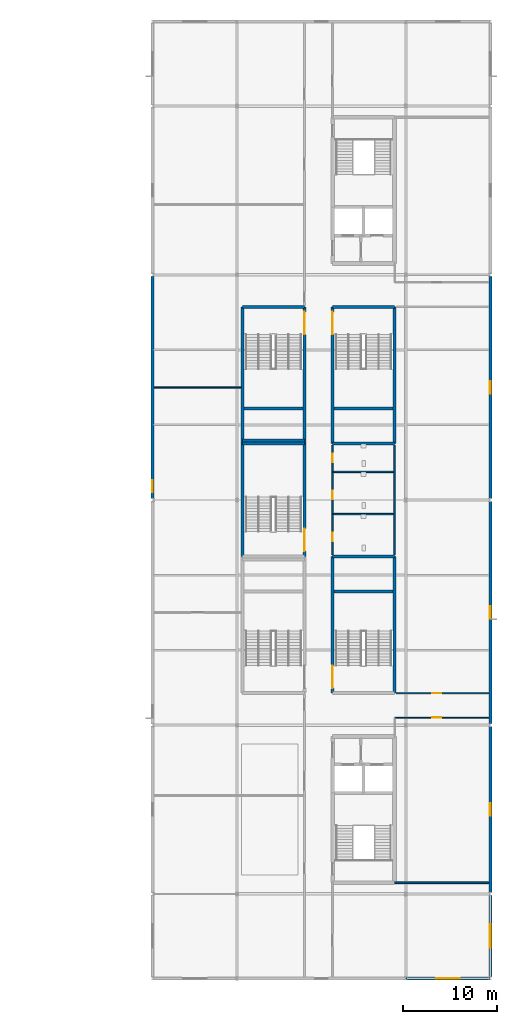
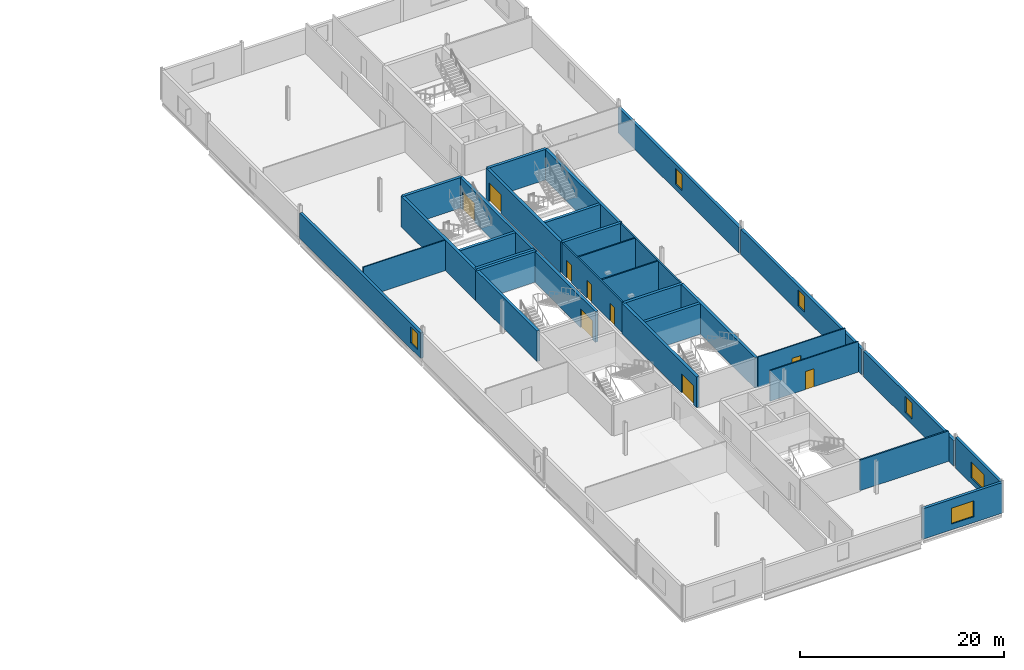
# One storey, part 15 of 27: 31 walls, 9 doors, 6 windows, 15 openings.
"""IFC4 building model written with IfcOpenShell, lengths in metres."""

from ifc_helpers import new_model, si_unit, direction, frame, frame_2d, origin, place, context, subcontext, project, spatial, rectangle, extrude, material, layer, layer_set, type_object, element, fill, save


model = new_model("IFC4")

# Units and contexts
model_context = context("Model", 3, precision=1e-05, world=origin(), true_north=direction((0.0, 1.0)))
body_context = subcontext(model_context, "Body", "Model", "MODEL_VIEW")
ifc_project = project(units=[si_unit("LENGTHUNIT", "METRE"), si_unit("AREAUNIT", "SQUARE_METRE"), si_unit("VOLUMEUNIT", "CUBIC_METRE"), si_unit("PLANEANGLEUNIT", "RADIAN"), si_unit("MASSUNIT", "GRAM", prefix="KILO")], contexts=[model_context])

# Site, building, storey
site_placement = place(None, origin())
site = spatial("IfcSite", under=ifc_project, at=site_placement, CompositionType="ELEMENT")
building_placement = place(site_placement, origin())
building = spatial("IfcBuilding", under=site, at=building_placement, Name="Kisiwana Market Hall", CompositionType="ELEMENT")
storey_placement = place(building_placement, frame((0.0, 0.0, 41.699951171875)))
storey = spatial("IfcBuildingStorey", under=building, at=storey_placement, Name="L09", CompositionType="ELEMENT", Elevation=41.699951171875)

# Wall
ifc_material_1 = material(Name="Concrete C40/50", Category="concrete")
ifc_layer_1 = layer(ifc_material_1, 0.320068359375, Name="Reinforced concrete shaft wall")
ifc_layer_set_1 = layer_set([ifc_layer_1], Name="WL-CORE-320")
wall_type_1 = type_object("IfcWallType", Name="WL-CORE-320", PredefinedType="SHEAR", material=ifc_layer_set_1)
wall_1_placement = place(storey_placement, frame((181.199951171875, 54.0, 0.0), z_axis=(0.0, 0.0, 1.0), x_axis=(1.0, 0.0, 0.0)))
element("IfcWall", 1, at=wall_1_placement, inside=storey, type_object=wall_type_1, Name="Core E3 north shear wall W-2470", PredefinedType="SHEAR", context=body_context, shape_type="SweptSolid", body=[
    extrude(rectangle(XDim=6.60009765625, YDim=0.320068359375, at=frame_2d((3.300048828125, 0.0))), origin(), (0.0, 0.0, 1.0), 3.655029296875),
])

# Wall, opening, door
wall_2_placement = place(storey_placement, frame((181.199951171875, 39.39990234375, 0.0), z_axis=(0.0, 0.0, 1.0), x_axis=(0.0, 1.0, 0.0)))
wall_2 = element("IfcWall", 2, at=wall_2_placement, inside=storey, type_object=wall_type_1, Name="Core E3 corridor shear wall W-2471", PredefinedType="SHEAR", context=body_context, shape_type="SweptSolid", body=[
    extrude(rectangle(XDim=14.60009765625, YDim=0.320068359375, at=frame_2d((7.300048828125, 0.0))), origin(), (0.0, 0.0, 1.0), 3.655029296875),
])
opening_1_placement = place(wall_2_placement, frame((0.550048828125, 0.0, 0.0)))
opening_1 = element("IfcOpeningElement", 3, at=opening_1_placement, cuts=wall_2, Name="Opening DR-L09-015", PredefinedType="OPENING", context=body_context, shape_type="SweptSolid", body=[
    extrude(rectangle(XDim=2.39990234375, YDim=2.25, at=frame_2d((1.199951171875, 1.125))), frame((0.0, 0.171875, 0.0), z_axis=(0.0, -1.0, 0.0), x_axis=(1.0, 0.0, 0.0)), (0.0, 0.0, 1.0), 0.343994140625),
])
ifc_material_2 = material(Name="Steel S275", Category="steel")
door_type_1 = type_object("IfcDoorType", Name="DR-STAIR-FD120-2400", OperationType="DOUBLE_DOOR_SINGLE_SWING", PredefinedType="DOOR", material=ifc_material_2)
door_1_placement = place(opening_1_placement, frame((2.39990234375, 0.0, 0.0), z_axis=(0.0, 0.0, 1.0), x_axis=(-1.0, 0.0, 0.0)))
door_1 = element("IfcDoor", 4, at=door_1_placement, inside=storey, type_object=door_type_1, Name="Escape Stair E3 Fire Door (L09)", OperationType="DOUBLE_DOOR_SINGLE_SWING", OverallHeight=2.25, OverallWidth=2.39990234375, PredefinedType="DOOR", context=body_context, shape_type="SweptSolid", body=[
    extrude(rectangle(XDim=2.39990234375, YDim=2.25, at=frame_2d((1.199951171875, 1.125))), frame((0.0, 0.02490234375, 0.0), z_axis=(0.0, -1.0, 0.0), x_axis=(1.0, 0.0, 0.0)), (0.0, 0.0, 1.0), 0.050048828125),
])
fill(opening_1, door_1)

# Walls
wall_3_placement = place(storey_placement, frame((187.800048828125, 39.39990234375, 0.0), z_axis=(0.0, 0.0, 1.0), x_axis=(0.0, 1.0, 0.0)))
element("IfcWall", 5, at=wall_3_placement, inside=storey, type_object=wall_type_1, Name="Core E3 outer shear wall W-2472", PredefinedType="SHEAR", context=body_context, shape_type="SweptSolid", body=[
    extrude(rectangle(XDim=14.60009765625, YDim=0.320068359375, at=frame_2d((7.300048828125, 0.0))), origin(), (0.0, 0.0, 1.0), 3.655029296875),
])
wall_4_placement = place(storey_placement, frame((181.360107421875, 50.219970703125, 0.0), z_axis=(0.0, 0.0, 1.0), x_axis=(1.0, 0.0, 0.0)))
element("IfcWall", 6, at=wall_4_placement, inside=storey, type_object=wall_type_1, Name="Core E3 riser divider shear wall W-2473", PredefinedType="SHEAR", context=body_context, shape_type="SweptSolid", body=[
    extrude(rectangle(XDim=6.27978515625, YDim=0.320068359375, at=frame_2d((3.139892578125, 0.0))), origin(), (0.0, 0.0, 1.0), 3.655029296875),
])
for number, where, z_axis, x_axis, name in (
    (7, (181.199951171875, 66.0, 0.0), (0.0, 0.0, 1.0), (1.0, 0.0, 0.0), "Core E4 south shear wall W-2474"),
    (8, (181.199951171875, 80.60009765625, 0.0), (0.0, 0.0, 1.0), (1.0, 0.0, 0.0), "Core E4 north shear wall W-2475"),
):
    element("IfcWall", number, at=place(storey_placement, frame(where, z_axis=z_axis, x_axis=x_axis)), inside=storey, type_object=wall_type_1, Name=name, PredefinedType="SHEAR", context=body_context, shape_type="SweptSolid", body=[
        extrude(rectangle(XDim=6.60009765625, YDim=0.320068359375, at=frame_2d((3.300048828125, 0.0))), origin(), (0.0, 0.0, 1.0), 3.655029296875),
    ])

# Wall, opening, door
wall_5_placement = place(storey_placement, frame((181.199951171875, 66.0, 0.0), z_axis=(0.0, 0.0, 1.0), x_axis=(0.0, 1.0, 0.0)))
wall_5 = element("IfcWall", 9, at=wall_5_placement, inside=storey, type_object=wall_type_1, Name="Core E4 corridor shear wall W-2476", PredefinedType="SHEAR", context=body_context, shape_type="SweptSolid", body=[
    extrude(rectangle(XDim=14.60009765625, YDim=0.320068359375, at=frame_2d((7.300048828125, 0.0))), origin(), (0.0, 0.0, 1.0), 3.655029296875),
])
opening_2_placement = place(wall_5_placement, frame((11.64990234375, 0.0, 0.0)))
opening_2 = element("IfcOpeningElement", 10, at=opening_2_placement, cuts=wall_5, Name="Opening DR-L09-016", PredefinedType="OPENING", context=body_context, shape_type="SweptSolid", body=[
    extrude(rectangle(XDim=2.39990234375, YDim=2.25, at=frame_2d((1.199951171875, 1.125))), frame((0.0, 0.171875, 0.0), z_axis=(0.0, -1.0, 0.0), x_axis=(1.0, 0.0, 0.0)), (0.0, 0.0, 1.0), 0.343994140625),
])
door_2_placement = place(opening_2_placement, frame((2.39990234375, 0.0, 0.0), z_axis=(0.0, 0.0, 1.0), x_axis=(-1.0, 0.0, 0.0)))
door_2 = element("IfcDoor", 11, at=door_2_placement, inside=storey, type_object=door_type_1, Name="Escape Stair E4 Fire Door (L09)", OperationType="DOUBLE_DOOR_SINGLE_SWING", OverallHeight=2.25, OverallWidth=2.39990234375, PredefinedType="DOOR", context=body_context, shape_type="SweptSolid", body=[
    extrude(rectangle(XDim=2.39990234375, YDim=2.25, at=frame_2d((1.199951171875, 1.125))), frame((0.0, 0.02490234375, 0.0), z_axis=(0.0, -1.0, 0.0), x_axis=(1.0, 0.0, 0.0)), (0.0, 0.0, 1.0), 0.050048828125),
])
fill(opening_2, door_2)

# Walls
wall_6_placement = place(storey_placement, frame((187.800048828125, 66.0, 0.0), z_axis=(0.0, 0.0, 1.0), x_axis=(0.0, 1.0, 0.0)))
element("IfcWall", 12, at=wall_6_placement, inside=storey, type_object=wall_type_1, Name="Core E4 outer shear wall W-2477", PredefinedType="SHEAR", context=body_context, shape_type="SweptSolid", body=[
    extrude(rectangle(XDim=14.60009765625, YDim=0.320068359375, at=frame_2d((7.300048828125, 0.0))), origin(), (0.0, 0.0, 1.0), 3.655029296875),
])
wall_7_placement = place(storey_placement, frame((181.360107421875, 69.780029296875, 0.0), z_axis=(0.0, 0.0, 1.0), x_axis=(1.0, 0.0, 0.0)))
element("IfcWall", 13, at=wall_7_placement, inside=storey, type_object=wall_type_1, Name="Core E4 riser divider shear wall W-2478", PredefinedType="SHEAR", context=body_context, shape_type="SweptSolid", body=[
    extrude(rectangle(XDim=6.27978515625, YDim=0.320068359375, at=frame_2d((3.139892578125, 0.0))), origin(), (0.0, 0.0, 1.0), 3.655029296875),
])
for number, where, z_axis, x_axis, name in (
    (14, (171.60009765625, 66.0, 0.0), (0.0, 0.0, 1.0), (1.0, 0.0, 0.0), "Core E8 south shear wall W-2494"),
    (15, (171.60009765625, 80.60009765625, 0.0), (0.0, 0.0, 1.0), (1.0, 0.0, 0.0), "Core E8 north shear wall W-2495"),
):
    element("IfcWall", number, at=place(storey_placement, frame(where, z_axis=z_axis, x_axis=x_axis)), inside=storey, type_object=wall_type_1, Name=name, PredefinedType="SHEAR", context=body_context, shape_type="SweptSolid", body=[
        extrude(rectangle(XDim=6.599853515625, YDim=0.320068359375, at=frame_2d((3.2998046875, 0.0))), origin(), (0.0, 0.0, 1.0), 3.655029296875),
    ])
wall_8_placement = place(storey_placement, frame((171.60009765625, 66.0, 0.0), z_axis=(0.0, 0.0, 1.0), x_axis=(0.0, 1.0, 0.0)))
element("IfcWall", 16, at=wall_8_placement, inside=storey, type_object=wall_type_1, Name="Core E8 outer shear wall W-2496", PredefinedType="SHEAR", context=body_context, shape_type="SweptSolid", body=[
    extrude(rectangle(XDim=14.60009765625, YDim=0.320068359375, at=frame_2d((7.300048828125, 0.0))), origin(), (0.0, 0.0, 1.0), 3.655029296875),
])

# Wall, opening, door
wall_9_placement = place(storey_placement, frame((178.199951171875, 66.0, 0.0), z_axis=(0.0, 0.0, 1.0), x_axis=(0.0, 1.0, 0.0)))
wall_9 = element("IfcWall", 17, at=wall_9_placement, inside=storey, type_object=wall_type_1, Name="Core E8 corridor shear wall W-2497", PredefinedType="SHEAR", context=body_context, shape_type="SweptSolid", body=[
    extrude(rectangle(XDim=14.60009765625, YDim=0.320068359375, at=frame_2d((7.300048828125, 0.0))), origin(), (0.0, 0.0, 1.0), 3.655029296875),
])
opening_3_placement = place(wall_9_placement, frame((11.64990234375, 0.0, 0.0)))
opening_3 = element("IfcOpeningElement", 18, at=opening_3_placement, cuts=wall_9, Name="Opening DR-L09-020", PredefinedType="OPENING", context=body_context, shape_type="SweptSolid", body=[
    extrude(rectangle(XDim=2.39990234375, YDim=2.25, at=frame_2d((1.199951171875, 1.125))), frame((0.0, 0.171875, 0.0), z_axis=(0.0, -1.0, 0.0), x_axis=(1.0, 0.0, 0.0)), (0.0, 0.0, 1.0), 0.343994140625),
])
door_3_placement = place(opening_3_placement, origin())
door_3 = element("IfcDoor", 19, at=door_3_placement, inside=storey, type_object=door_type_1, Name="Escape Stair E8 Fire Door (L09)", OperationType="DOUBLE_DOOR_SINGLE_SWING", OverallHeight=2.25, OverallWidth=2.39990234375, PredefinedType="DOOR", context=body_context, shape_type="SweptSolid", body=[
    extrude(rectangle(XDim=2.39990234375, YDim=2.25, at=frame_2d((1.199951171875, 1.125))), frame((0.0, 0.02490234375, 0.0), z_axis=(0.0, -1.0, 0.0), x_axis=(1.0, 0.0, 0.0)), (0.0, 0.0, 1.0), 0.050048828125),
])
fill(opening_3, door_3)

# Walls
wall_10_placement = place(storey_placement, frame((171.760009765625, 69.780029296875, 0.0), z_axis=(0.0, 0.0, 1.0), x_axis=(1.0, 0.0, 0.0)))
element("IfcWall", 20, at=wall_10_placement, inside=storey, type_object=wall_type_1, Name="Core E8 riser divider shear wall W-2498", PredefinedType="SHEAR", context=body_context, shape_type="SweptSolid", body=[
    extrude(rectangle(XDim=6.280029296875, YDim=0.320068359375, at=frame_2d((3.14013671875, 0.0))), origin(), (0.0, 0.0, 1.0), 3.655029296875),
])
wall_11_placement = place(storey_placement, frame((171.60009765625, 66.320068359375, 0.0), z_axis=(0.0, 0.0, 1.0), x_axis=(1.0, 0.0, 0.0)))
element("IfcWall", 21, at=wall_11_placement, inside=storey, type_object=wall_type_1, Name="Core E5 north shear wall W-2504", PredefinedType="SHEAR", context=body_context, shape_type="SweptSolid", body=[
    extrude(rectangle(XDim=6.599853515625, YDim=0.320068359375, at=frame_2d((3.2998046875, 0.0))), origin(), (0.0, 0.0, 1.0), 3.655029296875),
])
wall_12_placement = place(storey_placement, frame((171.60009765625, 54.0, 0.0), z_axis=(0.0, 0.0, 1.0), x_axis=(0.0, 1.0, 0.0)))
element("IfcWall", 22, at=wall_12_placement, inside=storey, type_object=wall_type_1, Name="Core E5 outer shear wall W-2505", PredefinedType="SHEAR", context=body_context, shape_type="SweptSolid", body=[
    extrude(rectangle(XDim=12.0, YDim=0.320068359375, at=frame_2d((6.0, 0.0))), origin(), (0.0, 0.0, 1.0), 3.655029296875),
])

# Wall, opening, door
wall_13_placement = place(storey_placement, frame((178.199951171875, 54.0, 0.0), z_axis=(0.0, 0.0, 1.0), x_axis=(0.0, 1.0, 0.0)))
wall_13 = element("IfcWall", 23, at=wall_13_placement, inside=storey, type_object=wall_type_1, Name="Core E5 corridor shear wall W-2506", PredefinedType="SHEAR", context=body_context, shape_type="SweptSolid", body=[
    extrude(rectangle(XDim=12.0, YDim=0.320068359375, at=frame_2d((6.0, 0.0))), origin(), (0.0, 0.0, 1.0), 3.655029296875),
])
opening_4_placement = place(wall_13_placement, frame((0.550048828125, 0.0, 0.0)))
opening_4 = element("IfcOpeningElement", 24, at=opening_4_placement, cuts=wall_13, Name="Opening DR-L09-022", PredefinedType="OPENING", context=body_context, shape_type="SweptSolid", body=[
    extrude(rectangle(XDim=2.39990234375, YDim=2.25, at=frame_2d((1.199951171875, 1.125))), frame((0.0, 0.171875, 0.0), z_axis=(0.0, -1.0, 0.0), x_axis=(1.0, 0.0, 0.0)), (0.0, 0.0, 1.0), 0.343994140625),
])
door_4_placement = place(opening_4_placement, origin())
door_4 = element("IfcDoor", 25, at=door_4_placement, inside=storey, type_object=door_type_1, Name="Escape Stair E5 Fire Door (L09)", OperationType="DOUBLE_DOOR_SINGLE_SWING", OverallHeight=2.25, OverallWidth=2.39990234375, PredefinedType="DOOR", context=body_context, shape_type="SweptSolid", body=[
    extrude(rectangle(XDim=2.39990234375, YDim=2.25, at=frame_2d((1.199951171875, 1.125))), frame((0.0, 0.02490234375, 0.0), z_axis=(0.0, -1.0, 0.0), x_axis=(1.0, 0.0, 0.0)), (0.0, 0.0, 1.0), 0.050048828125),
])
fill(opening_4, door_4)

# Wall
ifc_material_3 = material(Name="Masonry blockwork", Category="masonry")
ifc_layer_2 = layer(ifc_material_3, 0.169921875, Name="Protected corridor partition")
ifc_layer_set_2 = layer_set([ifc_layer_2], Name="WL-CORR-170")
wall_type_2 = type_object("IfcWallType", Name="WL-CORR-170", PredefinedType="PARTITIONING", material=ifc_layer_set_2)
wall_14_placement = place(storey_placement, frame((187.800048828125, 54.159912109375, 0.0), z_axis=(0.0, 0.0, 1.0), x_axis=(0.0, 1.0, 0.0)))
element("IfcWall", 26, at=wall_14_placement, inside=storey, type_object=wall_type_2, Name="Interior partition W-2567", PredefinedType="PARTITIONING", context=body_context, shape_type="SweptSolid", body=[
    extrude(rectangle(XDim=11.68017578125, YDim=0.169921875, at=frame_2d((5.840087890625, 0.0))), origin(), (0.0, 0.0, 1.0), 3.655029296875),
])

# Wall, openings, doors
wall_15_placement = place(storey_placement, frame((181.199951171875, 54.159912109375, 0.0), z_axis=(0.0, 0.0, 1.0), x_axis=(0.0, 1.0, 0.0)))
wall_15 = element("IfcWall", 27, at=wall_15_placement, inside=storey, type_object=wall_type_2, Name="Interior partition W-2568", PredefinedType="PARTITIONING", context=body_context, shape_type="SweptSolid", body=[
    extrude(rectangle(XDim=11.68017578125, YDim=0.169921875, at=frame_2d((5.840087890625, 0.0))), origin(), (0.0, 0.0, 1.0), 3.655029296875),
])
opening_5_placement = place(wall_15_placement, frame((1.43994140625, 0.0, 0.0)))
opening_5 = element("IfcOpeningElement", 28, at=opening_5_placement, cuts=wall_15, Name="Opening DR-L09-038", PredefinedType="OPENING", context=body_context, shape_type="SweptSolid", body=[
    extrude(rectangle(XDim=0.89990234375, YDim=2.10009765625, at=frame_2d((0.449951171875, 1.050048828125))), frame((0.0, 0.096923828125, 0.0), z_axis=(0.0, -1.0, 0.0), x_axis=(1.0, 0.0, 0.0)), (0.0, 0.0, 1.0), 0.19384765625),
])
opening_6_placement = place(wall_15_placement, frame((5.93994140625, 0.0, 0.0)))
opening_6 = element("IfcOpeningElement", 29, at=opening_6_placement, cuts=wall_15, Name="Opening DR-L09-039", PredefinedType="OPENING", context=body_context, shape_type="SweptSolid", body=[
    extrude(rectangle(XDim=0.89990234375, YDim=2.10009765625, at=frame_2d((0.449951171875, 1.050048828125))), frame((0.0, 0.096923828125, 0.0), z_axis=(0.0, -1.0, 0.0), x_axis=(1.0, 0.0, 0.0)), (0.0, 0.0, 1.0), 0.19384765625),
])
opening_7_placement = place(wall_15_placement, frame((9.840087890625, 0.0, 0.0)))
opening_7 = element("IfcOpeningElement", 30, at=opening_7_placement, cuts=wall_15, Name="Opening DR-L09-040", PredefinedType="OPENING", context=body_context, shape_type="SweptSolid", body=[
    extrude(rectangle(XDim=0.949951171875, YDim=2.10009765625, at=frame_2d((0.47509765625, 1.050048828125))), frame((0.0, 0.096923828125, 0.0), z_axis=(0.0, -1.0, 0.0), x_axis=(1.0, 0.0, 0.0)), (0.0, 0.0, 1.0), 0.19384765625),
])
ifc_material_4 = material(Name="Aluminium alloy 6063-T6", Category="aluminium")
door_type_2 = type_object("IfcDoorType", Name="DR-WC-ACC-950", OperationType="NOTDEFINED", PredefinedType="DOOR", material=ifc_material_4)
door_5_placement = place(opening_7_placement, frame((0.949951171875, 0.0, 0.0), z_axis=(0.0, 0.0, 1.0), x_axis=(-1.0, 0.0, 0.0)))
door_5 = element("IfcDoor", 31, at=door_5_placement, inside=storey, type_object=door_type_2, Name="L09 E Accessible WC Door", OperationType="SINGLE_SWING_LEFT", OverallHeight=2.10009765625, OverallWidth=0.949951171875, PredefinedType="DOOR", context=body_context, shape_type="SweptSolid", body=[
    extrude(rectangle(XDim=0.949951171875, YDim=2.10009765625, at=frame_2d((0.47509765625, 1.050048828125))), frame((0.0, 0.02490234375, 0.0), z_axis=(0.0, -1.0, 0.0), x_axis=(1.0, 0.0, 0.0)), (0.0, 0.0, 1.0), 0.050048828125),
])
fill(opening_7, door_5)
ifc_material_5 = material(Name="Aluminium alloy 6063-T6", Category="aluminium")
door_type_3 = type_object("IfcDoorType", Name="DR-WC-STD-900", OperationType="NOTDEFINED", PredefinedType="DOOR", material=ifc_material_5)
door_6_placement = place(opening_5_placement, frame((0.89990234375, 0.0, 0.0), z_axis=(0.0, 0.0, 1.0), x_axis=(-1.0, 0.0, 0.0)))
door_6 = element("IfcDoor", 32, at=door_6_placement, inside=storey, type_object=door_type_3, Name="L09 E Male Toilet Door", OperationType="SINGLE_SWING_RIGHT", OverallHeight=2.10009765625, OverallWidth=0.89990234375, PredefinedType="DOOR", context=body_context, shape_type="SweptSolid", body=[
    extrude(rectangle(XDim=0.89990234375, YDim=2.10009765625, at=frame_2d((0.449951171875, 1.050048828125))), frame((0.0, 0.02490234375, 0.0), z_axis=(0.0, -1.0, 0.0), x_axis=(1.0, 0.0, 0.0)), (0.0, 0.0, 1.0), 0.050048828125),
])
fill(opening_5, door_6)
door_7_placement = place(opening_6_placement, frame((0.89990234375, 0.0, 0.0), z_axis=(0.0, 0.0, 1.0), x_axis=(-1.0, 0.0, 0.0)))
door_7 = element("IfcDoor", 33, at=door_7_placement, inside=storey, type_object=door_type_3, Name="L09 E Female Toilet Door", OperationType="SINGLE_SWING_LEFT", OverallHeight=2.10009765625, OverallWidth=0.89990234375, PredefinedType="DOOR", context=body_context, shape_type="SweptSolid", body=[
    extrude(rectangle(XDim=0.89990234375, YDim=2.10009765625, at=frame_2d((0.449951171875, 1.050048828125))), frame((0.0, 0.02490234375, 0.0), z_axis=(0.0, -1.0, 0.0), x_axis=(1.0, 0.0, 0.0)), (0.0, 0.0, 1.0), 0.050048828125),
])
fill(opening_6, door_7)

# Wall
wall_16_placement = place(storey_placement, frame((187.800048828125, 19.199951171875, 0.0), z_axis=(0.0, 0.0, 1.0), x_axis=(1.0, 0.0, 0.0)))
element("IfcWall", 34, at=wall_16_placement, inside=storey, type_object=wall_type_2, Name="Interior partition W-2573", PredefinedType="PARTITIONING", context=body_context, shape_type="SweptSolid", body=[
    extrude(rectangle(XDim=10.04248046875, YDim=0.169921875, at=frame_2d((5.021240234375, 0.0))), origin(), (0.0, 0.0, 1.0), 3.655029296875),
])

# Wall, opening, window
ifc_material_6 = material(Name="Concrete C40/50 precast", Category="concrete")
ifc_layer_3 = layer(ifc_material_6, 0.31494140625)
ifc_layer_set_3 = layer_set([ifc_layer_3], Name="WL-EXT-315")
wall_type_3 = type_object("IfcWallType", Name="WL-EXT-315", PredefinedType="STANDARD", material=ifc_layer_set_3)
wall_17_placement = place(storey_placement, frame((189.010009765625, 9.0, 0.0), z_axis=(0.0, 0.0, 1.0), x_axis=(1.0, 0.0, 0.0)))
wall_17 = element("IfcWall", 35, at=wall_17_placement, inside=storey, type_object=wall_type_3, Name="Exterior wall W-2512", PredefinedType="STANDARD", context=body_context, shape_type="SweptSolid", body=[
    extrude(rectangle(XDim=8.97998046875, YDim=0.31494140625, at=frame_2d((4.489990234375, 0.0))), origin(), (0.0, 0.0, 1.0), 3.655029296875),
])
opening_8_placement = place(wall_17_placement, frame((3.239990234375, 0.0, 0.699951171875)))
opening_8 = element("IfcOpeningElement", 36, at=opening_8_placement, cuts=wall_17, Name="Opening WN-17", PredefinedType="OPENING", context=body_context, shape_type="SweptSolid", body=[
    extrude(rectangle(XDim=2.5, YDim=1.89990234375, at=frame_2d((1.25, 0.949951171875))), frame((0.0, 0.16943359375, 0.0), z_axis=(0.0, -1.0, 0.0), x_axis=(1.0, 0.0, 0.0)), (0.0, 0.0, 1.0), 0.3388671875),
])
ifc_material_7 = material(Name="Double-glazed solar-control low-E IGU", Category="glass")
window_type_1 = type_object("IfcWindowType", Name="WN-OFFB-2500x1900", PartitioningType="SINGLE_PANEL", PredefinedType="WINDOW", material=ifc_material_7)
window_1_placement = place(opening_8_placement, origin())
window_1 = element("IfcWindow", 37, at=window_1_placement, inside=storey, type_object=window_type_1, Name="Exterior window WN-281", OverallHeight=1.89990234375, OverallWidth=2.5, PartitioningType="SINGLE_PANEL", PredefinedType="WINDOW", context=body_context, shape_type="SweptSolid", body=[
    extrude(rectangle(XDim=2.5, YDim=1.89990234375, at=frame_2d((1.25, 0.949951171875))), frame((0.0, 0.030029296875, 0.0), z_axis=(0.0, -1.0, 0.0), x_axis=(1.0, 0.0, 0.0)), (0.0, 0.0, 1.0), 0.06005859375),
])
fill(opening_8, window_1)

wall_18_placement = place(storey_placement, frame((162.0, 60.159423828125, 0.0), z_axis=(0.0, 0.0, 1.0), x_axis=(0.0, 1.0, 0.0)))
wall_18 = element("IfcWall", 38, at=wall_18_placement, inside=storey, type_object=wall_type_3, Name="Exterior wall W-2534", PredefinedType="STANDARD", context=body_context, shape_type="SweptSolid", body=[
    extrude(rectangle(XDim=23.68115234375, YDim=0.31494140625, at=frame_2d((11.840576171875, 0.0))), origin(), (0.0, 0.0, 1.0), 3.04296875),
])
opening_9_placement = place(wall_18_placement, frame((0.64990234375, 0.0, 0.699951171875)))
opening_9 = element("IfcOpeningElement", 39, at=opening_9_placement, cuts=wall_18, Name="Opening WN-08", PredefinedType="OPENING", context=body_context, shape_type="SweptSolid", body=[
    extrude(rectangle(XDim=1.300048828125, YDim=1.89990234375, at=frame_2d((0.64990234375, 0.949951171875))), frame((0.0, 0.16943359375, 0.0), z_axis=(0.0, -1.0, 0.0), x_axis=(1.0, 0.0, 0.0)), (0.0, 0.0, 1.0), 0.3388671875),
])
ifc_material_8 = material(Name="Double-glazed solar-control low-E IGU", Category="glass")
window_type_2 = type_object("IfcWindowType", Name="WN-OFFB-1300x1900", PartitioningType="SINGLE_PANEL", PredefinedType="WINDOW", material=ifc_material_8)
window_2_placement = place(opening_9_placement, origin())
window_2 = element("IfcWindow", 40, at=window_2_placement, inside=storey, type_object=window_type_2, Name="Exterior window WN-272", OverallHeight=1.89990234375, OverallWidth=1.300048828125, PartitioningType="SINGLE_PANEL", PredefinedType="WINDOW", context=body_context, shape_type="SweptSolid", body=[
    extrude(rectangle(XDim=1.300048828125, YDim=1.89990234375, at=frame_2d((0.64990234375, 0.949951171875))), frame((0.0, 0.030029296875, 0.0), z_axis=(0.0, -1.0, 0.0), x_axis=(1.0, 0.0, 0.0)), (0.0, 0.0, 1.0), 0.06005859375),
])
fill(opening_9, window_2)

wall_19_placement = place(storey_placement, frame((198.0, 9.159423828125, 0.0), z_axis=(0.0, 0.0, 1.0), x_axis=(0.0, 1.0, 0.0)))
wall_19 = element("IfcWall", 41, at=wall_19_placement, inside=storey, type_object=wall_type_3, Name="Exterior wall W-2537", PredefinedType="STANDARD", context=body_context, shape_type="SweptSolid", body=[
    extrude(rectangle(XDim=8.68115234375, YDim=0.31494140625, at=frame_2d((4.340576171875, 0.0))), origin(), (0.0, 0.0, 1.0), 3.655029296875),
])
opening_10_placement = place(wall_19_placement, frame((3.090576171875, 0.0, 0.699951171875)))
opening_10 = element("IfcOpeningElement", 42, at=opening_10_placement, cuts=wall_19, Name="Opening WN-17", PredefinedType="OPENING", context=body_context, shape_type="SweptSolid", body=[
    extrude(rectangle(XDim=2.5, YDim=1.89990234375, at=frame_2d((1.25, 0.949951171875))), frame((0.0, 0.16943359375, 0.0), z_axis=(0.0, -1.0, 0.0), x_axis=(1.0, 0.0, 0.0)), (0.0, 0.0, 1.0), 0.3388671875),
])
window_3_placement = place(opening_10_placement, origin())
window_3 = element("IfcWindow", 43, at=window_3_placement, inside=storey, type_object=window_type_1, Name="Exterior window WN-292", OverallHeight=1.89990234375, OverallWidth=2.5, PartitioningType="SINGLE_PANEL", PredefinedType="WINDOW", context=body_context, shape_type="SweptSolid", body=[
    extrude(rectangle(XDim=2.5, YDim=1.89990234375, at=frame_2d((1.25, 0.949951171875))), frame((0.0, 0.030029296875, 0.0), z_axis=(0.0, -1.0, 0.0), x_axis=(1.0, 0.0, 0.0)), (0.0, 0.0, 1.0), 0.06005859375),
])
fill(opening_10, window_3)

wall_20_placement = place(storey_placement, frame((198.0, 18.159423828125, 0.0), z_axis=(0.0, 0.0, 1.0), x_axis=(0.0, 1.0, 0.0)))
wall_20 = element("IfcWall", 44, at=wall_20_placement, inside=storey, type_object=wall_type_3, Name="Exterior wall W-2538", PredefinedType="STANDARD", context=body_context, shape_type="SweptSolid", body=[
    extrude(rectangle(XDim=17.68115234375, YDim=0.31494140625, at=frame_2d((8.840576171875, 0.0))), origin(), (0.0, 0.0, 1.0), 3.04296875),
])
opening_11_placement = place(wall_20_placement, frame((8.190673828125, 0.0, 0.699951171875)))
opening_11 = element("IfcOpeningElement", 45, at=opening_11_placement, cuts=wall_20, Name="Opening WN-08", PredefinedType="OPENING", context=body_context, shape_type="SweptSolid", body=[
    extrude(rectangle(XDim=1.300048828125, YDim=1.89990234375, at=frame_2d((0.64990234375, 0.949951171875))), frame((0.0, 0.16943359375, 0.0), z_axis=(0.0, -1.0, 0.0), x_axis=(1.0, 0.0, 0.0)), (0.0, 0.0, 1.0), 0.3388671875),
])
window_4_placement = place(opening_11_placement, origin())
window_4 = element("IfcWindow", 46, at=window_4_placement, inside=storey, type_object=window_type_2, Name="Exterior window WN-274", OverallHeight=1.89990234375, OverallWidth=1.300048828125, PartitioningType="SINGLE_PANEL", PredefinedType="WINDOW", context=body_context, shape_type="SweptSolid", body=[
    extrude(rectangle(XDim=1.300048828125, YDim=1.89990234375, at=frame_2d((0.64990234375, 0.949951171875))), frame((0.0, 0.030029296875, 0.0), z_axis=(0.0, -1.0, 0.0), x_axis=(1.0, 0.0, 0.0)), (0.0, 0.0, 1.0), 0.06005859375),
])
fill(opening_11, window_4)

wall_21_placement = place(storey_placement, frame((198.0, 36.159423828125, 0.0), z_axis=(0.0, 0.0, 1.0), x_axis=(0.0, 1.0, 0.0)))
wall_21 = element("IfcWall", 47, at=wall_21_placement, inside=storey, type_object=wall_type_3, Name="Exterior wall W-2539", PredefinedType="STANDARD", context=body_context, shape_type="SweptSolid", body=[
    extrude(rectangle(XDim=23.68115234375, YDim=0.31494140625, at=frame_2d((11.840576171875, 0.0))), origin(), (0.0, 0.0, 1.0), 3.04296875),
])
opening_12_placement = place(wall_21_placement, frame((11.190673828125, 0.0, 0.699951171875)))
opening_12 = element("IfcOpeningElement", 48, at=opening_12_placement, cuts=wall_21, Name="Opening WN-08", PredefinedType="OPENING", context=body_context, shape_type="SweptSolid", body=[
    extrude(rectangle(XDim=1.300048828125, YDim=1.89990234375, at=frame_2d((0.64990234375, 0.949951171875))), frame((0.0, 0.16943359375, 0.0), z_axis=(0.0, -1.0, 0.0), x_axis=(1.0, 0.0, 0.0)), (0.0, 0.0, 1.0), 0.3388671875),
])
window_5_placement = place(opening_12_placement, origin())
window_5 = element("IfcWindow", 49, at=window_5_placement, inside=storey, type_object=window_type_2, Name="Exterior window WN-275", OverallHeight=1.89990234375, OverallWidth=1.300048828125, PartitioningType="SINGLE_PANEL", PredefinedType="WINDOW", context=body_context, shape_type="SweptSolid", body=[
    extrude(rectangle(XDim=1.300048828125, YDim=1.89990234375, at=frame_2d((0.64990234375, 0.949951171875))), frame((0.0, 0.030029296875, 0.0), z_axis=(0.0, -1.0, 0.0), x_axis=(1.0, 0.0, 0.0)), (0.0, 0.0, 1.0), 0.06005859375),
])
fill(opening_12, window_5)

wall_22_placement = place(storey_placement, frame((198.0, 60.159423828125, 0.0), z_axis=(0.0, 0.0, 1.0), x_axis=(0.0, 1.0, 0.0)))
wall_22 = element("IfcWall", 50, at=wall_22_placement, inside=storey, type_object=wall_type_3, Name="Exterior wall W-2540", PredefinedType="STANDARD", context=body_context, shape_type="SweptSolid", body=[
    extrude(rectangle(XDim=23.68115234375, YDim=0.31494140625, at=frame_2d((11.840576171875, 0.0))), origin(), (0.0, 0.0, 1.0), 3.04296875),
])
opening_13_placement = place(wall_22_placement, frame((11.190673828125, 0.0, 0.699951171875)))
opening_13 = element("IfcOpeningElement", 51, at=opening_13_placement, cuts=wall_22, Name="Opening WN-08", PredefinedType="OPENING", context=body_context, shape_type="SweptSolid", body=[
    extrude(rectangle(XDim=1.300048828125, YDim=1.89990234375, at=frame_2d((0.64990234375, 0.949951171875))), frame((0.0, 0.16943359375, 0.0), z_axis=(0.0, -1.0, 0.0), x_axis=(1.0, 0.0, 0.0)), (0.0, 0.0, 1.0), 0.3388671875),
])
window_6_placement = place(opening_13_placement, origin())
window_6 = element("IfcWindow", 52, at=window_6_placement, inside=storey, type_object=window_type_2, Name="Exterior window WN-276", OverallHeight=1.89990234375, OverallWidth=1.300048828125, PartitioningType="SINGLE_PANEL", PredefinedType="WINDOW", context=body_context, shape_type="SweptSolid", body=[
    extrude(rectangle(XDim=1.300048828125, YDim=1.89990234375, at=frame_2d((0.64990234375, 0.949951171875))), frame((0.0, 0.030029296875, 0.0), z_axis=(0.0, -1.0, 0.0), x_axis=(1.0, 0.0, 0.0)), (0.0, 0.0, 1.0), 0.06005859375),
])
fill(opening_13, window_6)

# Wall, opening, door
ifc_material_9 = material(Name="Gypsum plasterboard")
ifc_layer_4 = layer(ifc_material_9, 0.125, Name="Double gypsum board + acoustic stud")
ifc_layer_set_4 = layer_set([ifc_layer_4], Name="WL-OFF-125")
wall_type_4 = type_object("IfcWallType", Name="WL-OFF-125", PredefinedType="PARTITIONING", material=ifc_layer_set_4)
wall_23_placement = place(storey_placement, frame((187.800048828125, 36.800048828125, 0.0), z_axis=(0.0, 0.0, 1.0), x_axis=(1.0, 0.0, 0.0)))
wall_23 = element("IfcWall", 53, at=wall_23_placement, inside=storey, type_object=wall_type_4, Name="Interior partition W-2575", PredefinedType="PARTITIONING", context=body_context, shape_type="SweptSolid", body=[
    extrude(rectangle(XDim=10.04248046875, YDim=0.125, at=frame_2d((5.021240234375, 0.0))), origin(), (0.0, 0.0, 1.0), 3.655029296875),
])
opening_14_placement = place(wall_23_placement, frame((4.0, 0.0, 0.0)))
opening_14 = element("IfcOpeningElement", 54, at=opening_14_placement, cuts=wall_23, Name="Opening DR-L09-041", PredefinedType="OPENING", context=body_context, shape_type="SweptSolid", body=[
    extrude(rectangle(XDim=1.0, YDim=2.14990234375, at=frame_2d((0.5, 1.074951171875))), frame((0.0, 0.074462890625, 0.0), z_axis=(0.0, -1.0, 0.0), x_axis=(1.0, 0.0, 0.0)), (0.0, 0.0, 1.0), 0.14892578125),
])
ifc_material_10 = material(Name="Aluminium alloy 6063-T6", Category="aluminium")
door_type_4 = type_object("IfcDoorType", Name="DR-OFF-1000", OperationType="NOTDEFINED", PredefinedType="DOOR", material=ifc_material_10)
door_8_placement = place(opening_14_placement, frame((1.0, 0.0, 0.0), z_axis=(0.0, 0.0, 1.0), x_axis=(-1.0, 0.0, 0.0)))
door_8 = element("IfcDoor", 55, at=door_8_placement, inside=storey, type_object=door_type_4, Name="L09 E Commercial Office South Door", OperationType="SINGLE_SWING_RIGHT", OverallHeight=2.14990234375, OverallWidth=1.0, PredefinedType="DOOR", context=body_context, shape_type="SweptSolid", body=[
    extrude(rectangle(XDim=1.0, YDim=2.14990234375, at=frame_2d((0.5, 1.074951171875))), frame((0.0, 0.02490234375, 0.0), z_axis=(0.0, -1.0, 0.0), x_axis=(1.0, 0.0, 0.0)), (0.0, 0.0, 1.0), 0.050048828125),
])
fill(opening_14, door_8)

wall_24_placement = place(storey_placement, frame((187.9599609375, 39.39990234375, 0.0), z_axis=(0.0, 0.0, 1.0), x_axis=(1.0, 0.0, 0.0)))
wall_24 = element("IfcWall", 56, at=wall_24_placement, inside=storey, type_object=wall_type_4, Name="Interior partition W-2576", PredefinedType="PARTITIONING", context=body_context, shape_type="SweptSolid", body=[
    extrude(rectangle(XDim=9.882568359375, YDim=0.125, at=frame_2d((4.94140625, 0.0))), origin(), (0.0, 0.0, 1.0), 3.655029296875),
])
opening_15_placement = place(wall_24_placement, frame((3.840087890625, 0.0, 0.0)))
opening_15 = element("IfcOpeningElement", 57, at=opening_15_placement, cuts=wall_24, Name="Opening DR-L09-042", PredefinedType="OPENING", context=body_context, shape_type="SweptSolid", body=[
    extrude(rectangle(XDim=1.0, YDim=2.14990234375, at=frame_2d((0.5, 1.074951171875))), frame((0.0, 0.074462890625, 0.0), z_axis=(0.0, -1.0, 0.0), x_axis=(1.0, 0.0, 0.0)), (0.0, 0.0, 1.0), 0.14892578125),
])
door_9_placement = place(opening_15_placement, origin())
door_9 = element("IfcDoor", 58, at=door_9_placement, inside=storey, type_object=door_type_4, Name="L09 E Commercial Office Central Door", OperationType="SINGLE_SWING_LEFT", OverallHeight=2.14990234375, OverallWidth=1.0, PredefinedType="DOOR", context=body_context, shape_type="SweptSolid", body=[
    extrude(rectangle(XDim=1.0, YDim=2.14990234375, at=frame_2d((0.5, 1.074951171875))), frame((0.0, 0.02490234375, 0.0), z_axis=(0.0, -1.0, 0.0), x_axis=(1.0, 0.0, 0.0)), (0.0, 0.0, 1.0), 0.050048828125),
])
fill(opening_15, door_9)

# Walls
wall_25_placement = place(storey_placement, frame((162.157470703125, 72.0, 0.0), z_axis=(0.0, 0.0, 1.0), x_axis=(1.0, 0.0, 0.0)))
element("IfcWall", 59, at=wall_25_placement, inside=storey, type_object=wall_type_4, Name="Interior partition W-2583", PredefinedType="PARTITIONING", context=body_context, shape_type="SweptSolid", body=[
    extrude(rectangle(XDim=9.282470703125, YDim=0.125, at=frame_2d((4.64111328125, 0.0))), origin(), (0.0, 0.0, 1.0), 3.655029296875),
])
ifc_material_11 = material(Name="Masonry blockwork", Category="masonry")
ifc_layer_5 = layer(ifc_material_11, 0.14990234375, Name="Water-resistant sanitary block wall")
ifc_layer_set_5 = layer_set([ifc_layer_5], Name="WL-WET-150")
wall_type_5 = type_object("IfcWallType", Name="WL-WET-150", PredefinedType="PARTITIONING", material=ifc_layer_set_5)
for number, where, z_axis, x_axis, name in (
    (60, (181.284912109375, 58.5, 0.0), (0.0, 0.0, 1.0), (1.0, 0.0, 0.0), "Interior partition W-2569"),
    (61, (181.284912109375, 63.0, 0.0), (0.0, 0.0, 1.0), (1.0, 0.0, 0.0), "Interior partition W-2570"),
):
    element("IfcWall", number, at=place(storey_placement, frame(where, z_axis=z_axis, x_axis=x_axis)), inside=storey, type_object=wall_type_5, Name=name, PredefinedType="PARTITIONING", context=body_context, shape_type="SweptSolid", body=[
        extrude(rectangle(XDim=6.43017578125, YDim=0.14990234375, at=frame_2d((3.215087890625, 0.0))), origin(), (0.0, 0.0, 1.0), 3.655029296875),
    ])

save(model, "model.ifc")
